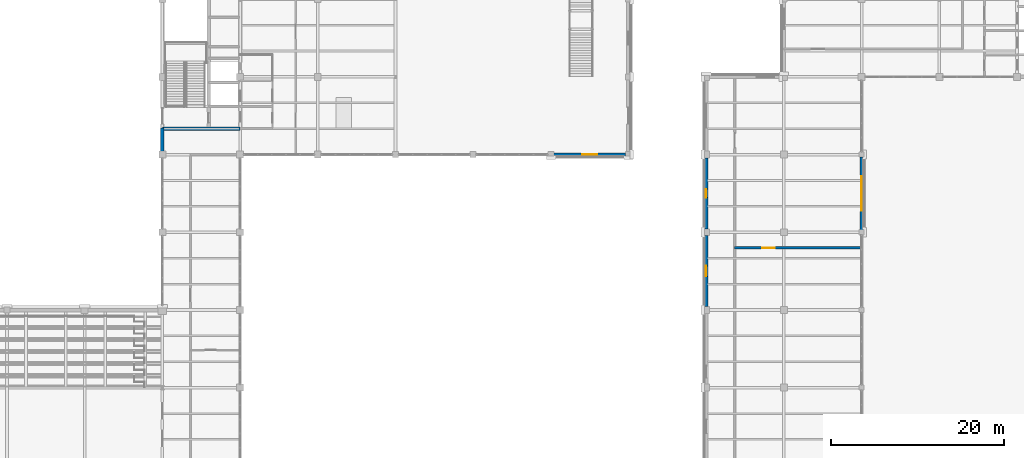
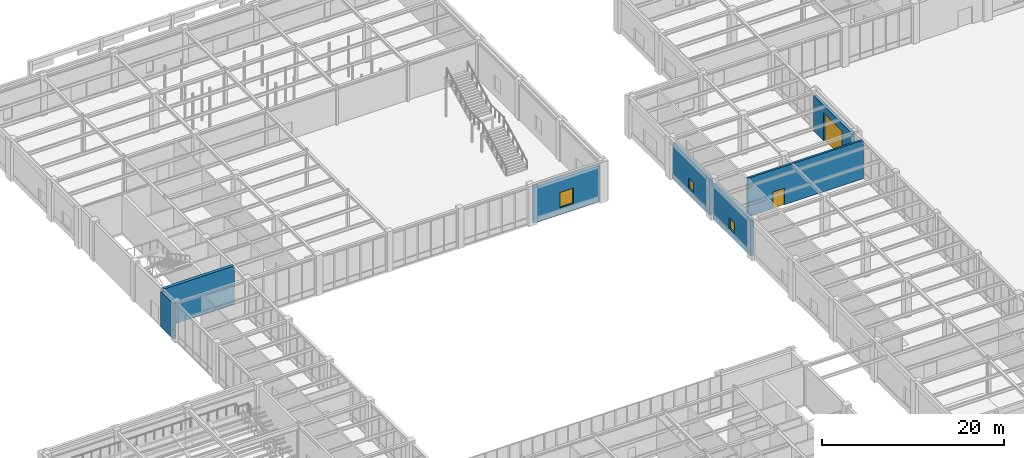
# One storey, part 66 of 77: 7 walls, 3 windows, 2 doors, 5 openings.
"""IFC4 building model written with IfcOpenShell, lengths in metres."""

from ifc_helpers import new_model, si_unit, direction, frame, frame_2d, origin, place, context, subcontext, project, spatial, rectangle, extrude, material, layer, layer_set, type_object, element, fill, save


model = new_model("IFC4")

# Units and contexts
model_context = context("Model", 3, precision=1e-05, world=origin(), true_north=direction((0.0, 1.0)))
body_context = subcontext(model_context, "Body", "Model", "MODEL_VIEW")
ifc_project = project(units=[si_unit("LENGTHUNIT", "METRE"), si_unit("AREAUNIT", "SQUARE_METRE"), si_unit("VOLUMEUNIT", "CUBIC_METRE"), si_unit("PLANEANGLEUNIT", "RADIAN"), si_unit("MASSUNIT", "GRAM", prefix="KILO")], contexts=[model_context])

# Site, building, storey
site_placement = place(None, origin())
site = spatial("IfcSite", under=ifc_project, at=site_placement, CompositionType="ELEMENT")
building_placement = place(site_placement, origin())
building = spatial("IfcBuilding", under=site, at=building_placement, Name="Lykobir Media Centre", CompositionType="ELEMENT")
storey_placement = place(building_placement, origin())
storey = spatial("IfcBuildingStorey", under=building, at=storey_placement, Name="L00", CompositionType="ELEMENT", Elevation=0.0)

# Wall, opening, window
ifc_material_1 = material(Name="Honed Travertine Stone", Category="masonry")
ifc_layer_1 = layer(ifc_material_1, 0.419921875, Name="Honed Travertine Stone")
ifc_layer_set_1 = layer_set([ifc_layer_1], Name="Honed Travertine Stone")
wall_type_1 = type_object("IfcWallType", Name="EW-TRAV-420", PredefinedType="STANDARD", material=ifc_layer_set_1)
wall_1_placement = place(storey_placement, frame((90.0, 53.614990234375, 0.0), z_axis=(0.0, 0.0, 1.0), x_axis=(0.0, -1.0, 0.0)))
wall_1 = element("IfcWall", 1, at=wall_1_placement, inside=storey, type_object=wall_type_1, Name="Exterior wall WALL-L00-0082", PredefinedType="STANDARD", context=body_context, shape_type="SweptSolid", body=[
    extrude(rectangle(XDim=8.22998046875, YDim=0.419921875, at=frame_2d((4.114990234375, 0.0))), origin(), (0.0, 0.0, 1.0), 4.794921875),
])
opening_1_placement = place(wall_1_placement, frame((3.514892578125, 0.0, 0.89990234375)))
opening_1 = element("IfcOpeningElement", 2, at=opening_1_placement, cuts=wall_1, Name="Opening WN-1200x1400", PredefinedType="OPENING", context=body_context, shape_type="SweptSolid", body=[
    extrude(rectangle(XDim=1.199951171875, YDim=1.39990234375, at=frame_2d((0.60009765625, 0.699951171875))), frame((0.0, 0.219970703125, 0.0), z_axis=(0.0, -1.0, 0.0), x_axis=(1.0, 0.0, 0.0)), (0.0, 0.0, 1.0), 0.43994140625),
])
ifc_material_2 = material(Name="Low-E Laminated Triple Glazing", Category="glass")
window_type_1 = type_object("IfcWindowType", Name="WN-1200x1400", PartitioningType="SINGLE_PANEL", PredefinedType="WINDOW", material=ifc_material_2)
window_1_placement = place(opening_1_placement, origin())
window_1 = element("IfcWindow", 3, at=window_1_placement, inside=storey, type_object=window_type_1, Name="Window WIN-L00-0010", OverallHeight=1.39990234375, OverallWidth=1.199951171875, PartitioningType="SINGLE_PANEL", PredefinedType="WINDOW", context=body_context, shape_type="SweptSolid", body=[
    extrude(rectangle(XDim=1.199951171875, YDim=1.39990234375, at=frame_2d((0.60009765625, 0.699951171875))), frame((0.0, 0.030029296875, 0.0), z_axis=(0.0, -1.0, 0.0), x_axis=(1.0, 0.0, 0.0)), (0.0, 0.0, 1.0), 0.06005859375),
])
fill(opening_1, window_1)

wall_2_placement = place(storey_placement, frame((90.0, 62.614990234375, 0.0), z_axis=(0.0, 0.0, 1.0), x_axis=(0.0, -1.0, 0.0)))
wall_2 = element("IfcWall", 4, at=wall_2_placement, inside=storey, type_object=wall_type_1, Name="Exterior wall WALL-L00-0083", PredefinedType="STANDARD", context=body_context, shape_type="SweptSolid", body=[
    extrude(rectangle(XDim=8.22998046875, YDim=0.419921875, at=frame_2d((4.114990234375, 0.0))), origin(), (0.0, 0.0, 1.0), 4.794921875),
])
opening_2_placement = place(wall_2_placement, frame((3.614990234375, 0.0, 0.89990234375)))
opening_2 = element("IfcOpeningElement", 5, at=opening_2_placement, cuts=wall_2, Name="Opening WN-1000x1350", PredefinedType="OPENING", context=body_context, shape_type="SweptSolid", body=[
    extrude(rectangle(XDim=1.0, YDim=1.35009765625, at=frame_2d((0.5, 0.675048828125))), frame((0.0, 0.219970703125, 0.0), z_axis=(0.0, -1.0, 0.0), x_axis=(1.0, 0.0, 0.0)), (0.0, 0.0, 1.0), 0.43994140625),
])
window_type_2 = type_object("IfcWindowType", Name="WN-1000x1350", PartitioningType="SINGLE_PANEL", PredefinedType="WINDOW", material=ifc_material_2)
window_2_placement = place(opening_2_placement, origin())
window_2 = element("IfcWindow", 6, at=window_2_placement, inside=storey, type_object=window_type_2, Name="Window WIN-L00-0011", OverallHeight=1.35009765625, OverallWidth=1.0, PartitioningType="SINGLE_PANEL", PredefinedType="WINDOW", context=body_context, shape_type="SweptSolid", body=[
    extrude(rectangle(XDim=1.0, YDim=1.35009765625, at=frame_2d((0.5, 0.675048828125))), frame((0.0, 0.030029296875, 0.0), z_axis=(0.0, -1.0, 0.0), x_axis=(1.0, 0.0, 0.0)), (0.0, 0.0, 1.0), 0.06005859375),
])
fill(opening_2, window_2)

# Wall, opening, door
wall_3_placement = place(storey_placement, frame((108.0, 54.284912109375, 0.0), z_axis=(0.0, 0.0, 1.0), x_axis=(0.0, 1.0, 0.0)))
wall_3 = element("IfcWall", 7, at=wall_3_placement, inside=storey, type_object=wall_type_1, Name="Exterior wall WALL-L00-0091", PredefinedType="STANDARD", context=body_context, shape_type="SweptSolid", body=[
    extrude(rectangle(XDim=8.43017578125, YDim=0.419921875, at=frame_2d((4.215087890625, 0.0))), origin(), (0.0, 0.0, 1.0), 4.77490234375),
])
opening_3_placement = place(wall_3_placement, frame((2.215087890625, 0.0, 0.0)))
opening_3 = element("IfcOpeningElement", 8, at=opening_3_placement, cuts=wall_3, Name="Opening D-L00-LSH1", PredefinedType="OPENING", context=body_context, shape_type="SweptSolid", body=[
    extrude(rectangle(XDim=4.0, YDim=3.800048828125, at=frame_2d((2.0, 1.89990234375))), frame((0.0, 0.219970703125, 0.0), z_axis=(0.0, -1.0, 0.0), x_axis=(1.0, 0.0, 0.0)), (0.0, 0.0, 1.0), 0.43994140625),
])
ifc_material_3 = material(Name="Anodized Aluminium AW-6060", Category="aluminium")
door_type_1 = type_object("IfcDoorType", Name="ED-4000x3800", OperationType="NOTDEFINED", PredefinedType="DOOR", material=ifc_material_3)
door_1_placement = place(opening_3_placement, frame((4.0, 0.0, 0.0), z_axis=(0.0, 0.0, 1.0), x_axis=(-1.0, 0.0, 0.0)))
door_1 = element("IfcDoor", 9, at=door_1_placement, inside=storey, type_object=door_type_1, Name="East loading bay acoustic shutter", OperationType="ROLLINGUP", OverallHeight=3.800048828125, OverallWidth=4.0, PredefinedType="DOOR", context=body_context, shape_type="SweptSolid", body=[
    extrude(rectangle(XDim=4.0, YDim=3.800048828125, at=frame_2d((2.0, 1.89990234375))), frame((0.0, 0.02490234375, 0.0), z_axis=(0.0, -1.0, 0.0), x_axis=(1.0, 0.0, 0.0)), (0.0, 0.0, 1.0), 0.050048828125),
])
fill(opening_3, door_1)

# Wall, opening, window
wall_4_placement = place(storey_placement, frame((72.3349609375, 63.0, 0.0), z_axis=(0.0, 0.0, 1.0), x_axis=(1.0, 0.0, 0.0)))
wall_4 = element("IfcWall", 10, at=wall_4_placement, inside=storey, type_object=wall_type_1, Name="Exterior wall WALL-L00-0095", PredefinedType="STANDARD", context=body_context, shape_type="SweptSolid", body=[
    extrude(rectangle(XDim=8.330078125, YDim=0.419921875, at=frame_2d((4.1650390625, 0.0))), origin(), (0.0, 0.0, 1.0), 4.794921875),
])
opening_4_placement = place(wall_4_placement, frame((3.31494140625, 0.0, 0.89990234375)))
opening_4 = element("IfcOpeningElement", 11, at=opening_4_placement, cuts=wall_4, Name="Opening WN-1700x2050", PredefinedType="OPENING", context=body_context, shape_type="SweptSolid", body=[
    extrude(rectangle(XDim=1.699951171875, YDim=2.050048828125, at=frame_2d((0.85009765625, 1.02490234375))), frame((0.0, 0.219970703125, 0.0), z_axis=(0.0, -1.0, 0.0), x_axis=(1.0, 0.0, 0.0)), (0.0, 0.0, 1.0), 0.43994140625),
])
window_type_3 = type_object("IfcWindowType", Name="WN-1700x2050", PartitioningType="SINGLE_PANEL", PredefinedType="WINDOW", material=ifc_material_2)
window_3_placement = place(opening_4_placement, origin())
window_3 = element("IfcWindow", 12, at=window_3_placement, inside=storey, type_object=window_type_3, Name="Window WIN-L00-0018", OverallHeight=2.050048828125, OverallWidth=1.699951171875, PartitioningType="SINGLE_PANEL", PredefinedType="WINDOW", context=body_context, shape_type="SweptSolid", body=[
    extrude(rectangle(XDim=1.699951171875, YDim=2.050048828125, at=frame_2d((0.85009765625, 1.02490234375))), frame((0.0, 0.030029296875, 0.0), z_axis=(0.0, -1.0, 0.0), x_axis=(1.0, 0.0, 0.0)), (0.0, 0.0, 1.0), 0.06005859375),
])
fill(opening_4, window_3)

# Wall
wall_5_placement = place(storey_placement, frame((27.0, 66.074951171875, 0.0), z_axis=(0.0, 0.0, 1.0), x_axis=(0.0, -1.0, 0.0)))
element("IfcWall", 13, at=wall_5_placement, inside=storey, type_object=wall_type_1, Name="Exterior wall WALL-L00-0107", PredefinedType="STANDARD", context=body_context, shape_type="SweptSolid", body=[
    extrude(rectangle(XDim=2.68994140625, YDim=0.419921875, at=frame_2d((1.344970703125, 0.0))), origin(), (0.0, 0.0, 1.0), 4.794921875),
])

# Wall, opening, door
ifc_material_4 = material(Name="Acoustic Gypsum Board", Category="gypsum")
ifc_layer_2 = layer(ifc_material_4, 0.260009765625, Name="Acoustic Gypsum Board")
ifc_layer_set_2 = layer_set([ifc_layer_2], Name="Acoustic Gypsum Board")
wall_type_2 = type_object("IfcWallType", Name="IW-STU-260", PredefinedType="PARTITIONING", material=ifc_layer_set_2)
wall_6_placement = place(storey_placement, frame((93.300048828125, 52.199951171875, 0.0), z_axis=(0.0, 0.0, 1.0), x_axis=(1.0, 0.0, 0.0)))
wall_6 = element("IfcWall", 14, at=wall_6_placement, inside=storey, type_object=wall_type_2, Name="Wall IWALL-L00-0671", PredefinedType="PARTITIONING", context=body_context, shape_type="SweptSolid", body=[
    extrude(rectangle(XDim=14.679931640625, YDim=0.260009765625, at=frame_2d((7.33984375, 0.0))), origin(), (0.0, 0.0, 1.0), 5.159912109375),
])
opening_5_placement = place(wall_6_placement, frame((3.199951171875, 0.0, 0.0)))
opening_5 = element("IfcOpeningElement", 15, at=opening_5_placement, cuts=wall_6, Name="Opening D-L00-LD1", PredefinedType="OPENING", context=body_context, shape_type="SweptSolid", body=[
    extrude(rectangle(XDim=1.449951171875, YDim=2.219970703125, at=frame_2d((0.72509765625, 1.10986328125))), frame((0.0, 0.139892578125, 0.0), z_axis=(0.0, -1.0, 0.0), x_axis=(1.0, 0.0, 0.0)), (0.0, 0.0, 1.0), 0.280029296875),
])
ifc_material_5 = material(Name="Acoustic Timber Panelling", Category="wood")
door_type_2 = type_object("IfcDoorType", Name="FD-1450x2220", OperationType="NOTDEFINED", PredefinedType="DOOR", material=ifc_material_5)
door_2_placement = place(opening_5_placement, origin())
door_2 = element("IfcDoor", 16, at=door_2_placement, inside=storey, type_object=door_type_2, Name="Door D-L00-LD1", OperationType="DOUBLE_DOOR_SINGLE_SWING", OverallHeight=2.219970703125, OverallWidth=1.449951171875, PredefinedType="DOOR", context=body_context, shape_type="SweptSolid", body=[
    extrude(rectangle(XDim=1.449951171875, YDim=2.219970703125, at=frame_2d((0.72509765625, 1.10986328125))), frame((0.0, 0.02490234375, 0.0), z_axis=(0.0, -1.0, 0.0), x_axis=(1.0, 0.0, 0.0)), (0.0, 0.0, 1.0), 0.050048828125),
])
fill(opening_5, door_2)

# Wall
ifc_material_6 = material(Name="Concrete C40/50", Category="concrete")
ifc_layer_3 = layer(ifc_material_6, 0.39990234375, Name="Concrete C40/50")
ifc_layer_set_3 = layer_set([ifc_layer_3], Name="Concrete C40/50")
wall_type_3 = type_object("IfcWallType", Name="SW-CORE-400", PredefinedType="SHEAR", material=ifc_layer_set_3)
wall_7_placement = place(storey_placement, frame((27.0, 66.0, 0.0), z_axis=(0.0, 0.0, 1.0), x_axis=(1.0, 0.0, 0.0)))
element("IfcWall", 17, at=wall_7_placement, inside=storey, type_object=wall_type_3, Name="Wall IWALL-L00-0359", PredefinedType="SHEAR", context=body_context, shape_type="SweptSolid", body=[
    extrude(rectangle(XDim=9.0, YDim=0.39990234375, at=frame_2d((4.5, 0.0))), origin(), (0.0, 0.0, 1.0), 5.159912109375),
])

save(model, "model.ifc")
